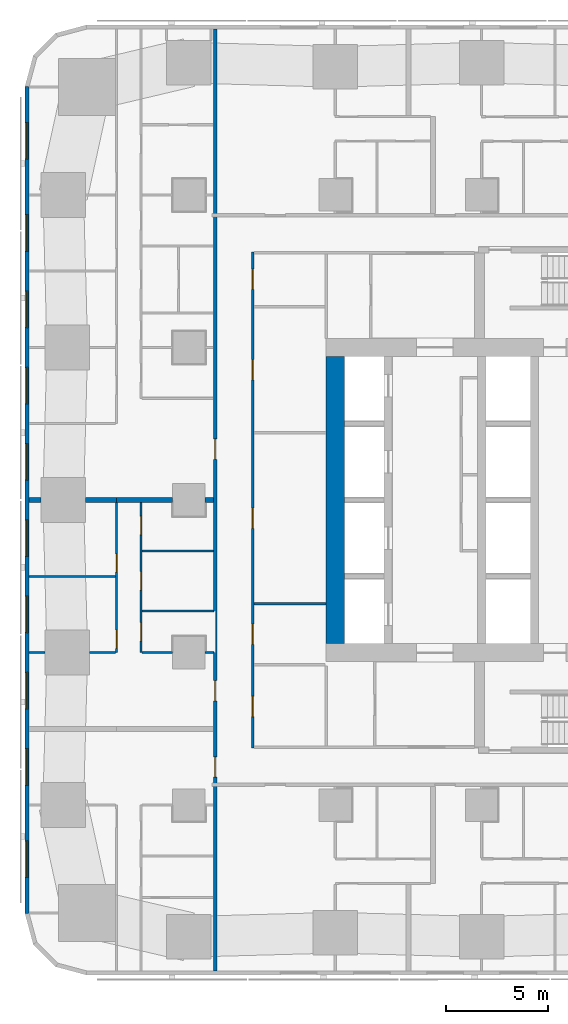
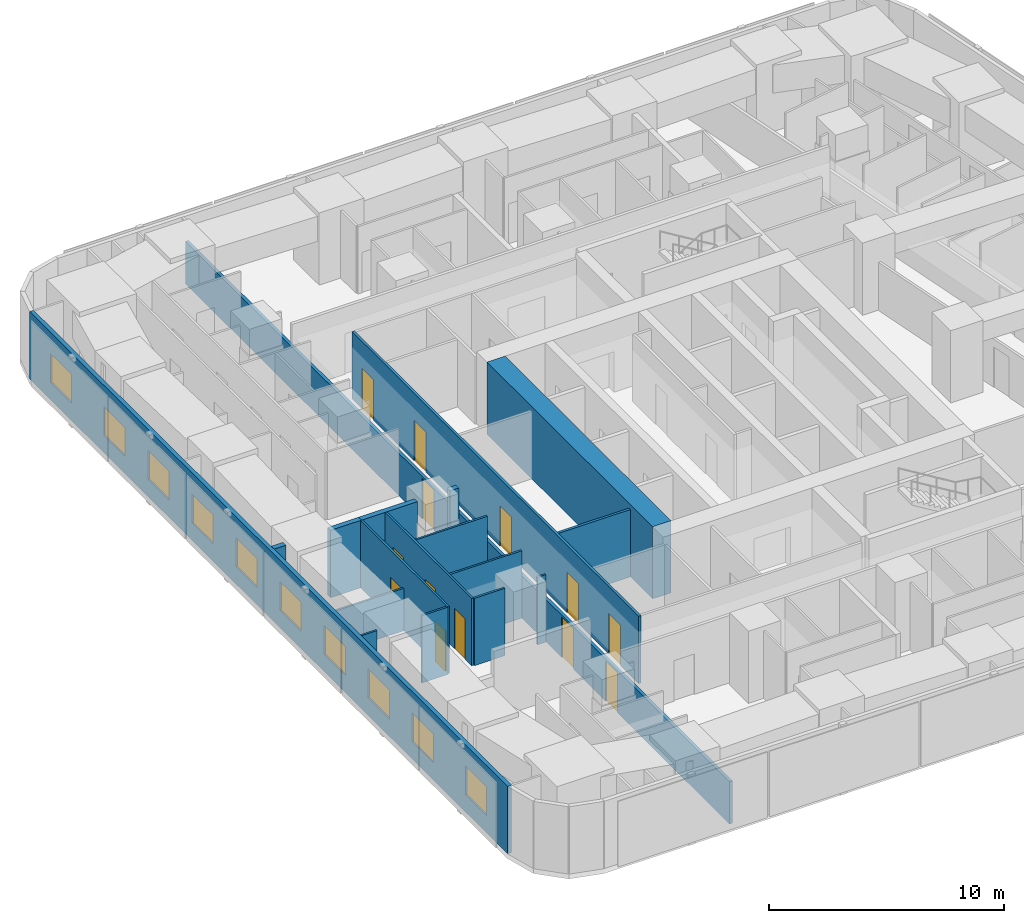
# One storey, part 5 of 17: 18 walls, 13 doors, 10 windows, 23 openings.
"""IFC4 building model written with IfcOpenShell, lengths in metres."""

from ifc_helpers import new_model, si_unit, direction, frame, frame_2d, origin, place, context, subcontext, project, spatial, rectangle, extrude, material, layer, layer_set, type_object, element, fill, save


model = new_model("IFC4")

# Units and contexts
model_context = context("Model", 3, precision=1e-05, world=origin(), true_north=direction((0.0, 1.0)))
body_context = subcontext(model_context, "Body", "Model", "MODEL_VIEW")
ifc_project = project(units=[si_unit("LENGTHUNIT", "METRE"), si_unit("AREAUNIT", "SQUARE_METRE"), si_unit("VOLUMEUNIT", "CUBIC_METRE"), si_unit("PLANEANGLEUNIT", "RADIAN"), si_unit("MASSUNIT", "GRAM", prefix="KILO")], contexts=[model_context])

# Site, building, storey
site_placement = place(None, origin())
site = spatial("IfcSite", under=ifc_project, at=site_placement, CompositionType="ELEMENT")
building_placement = place(site_placement, origin())
building = spatial("IfcBuilding", under=site, at=building_placement, Name="Sheger Commons Tower", CompositionType="ELEMENT")
storey_placement = place(building_placement, frame((0.0, 0.0, 115.39990234375)))
storey = spatial("IfcBuildingStorey", under=building, at=storey_placement, Name="L29", CompositionType="ELEMENT", Elevation=115.39990234375)

# Wall
ifc_material_1 = material(Name="Concrete C50/60", Category="concrete")
ifc_layer_1 = layer(ifc_material_1, 0.89990234375)
ifc_layer_set_1 = layer_set([ifc_layer_1], Name="CORE WALL 900")
wall_type_1 = type_object("IfcWallType", Name="CORE WALL 900", PredefinedType="SHEAR", material=ifc_layer_set_1)
wall_1_placement = place(storey_placement, frame((14.39990234375, 15.449951171875, 0.0), z_axis=(0.0, 0.0, 1.0), x_axis=(0.0, 1.0, 0.0)))
element("IfcWall", 1, at=wall_1_placement, inside=storey, type_object=wall_type_1, Name="Core wall west L29", PredefinedType="SHEAR", context=body_context, shape_type="SweptSolid", body=[
    extrude(rectangle(XDim=14.10009765625, YDim=0.89990234375, at=frame_2d((7.050048828125, 0.0))), origin(), (0.0, 0.0, 1.0), 3.75),
])

# Wall, openings, doors
ifc_material_2 = material(Name="Hollow concrete block masonry, skimmed both sides", Category="masonry")
ifc_layer_2 = layer(ifc_material_2, 0.14990234375)
ifc_layer_set_2 = layer_set([ifc_layer_2], Name="CORRIDOR WALL 150")
wall_type_2 = type_object("IfcWallType", Name="CORRIDOR WALL 150", PredefinedType="SOLIDWALL", material=ifc_layer_set_2)
wall_2_placement = place(storey_placement, frame((8.5, -0.64990234375, 0.0), z_axis=(0.0, 0.0, 1.0), x_axis=(0.0, 1.0, 0.0)))
wall_2 = element("IfcWall", 2, at=wall_2_placement, inside=storey, type_object=wall_type_2, Name="Corridor wall L29", PredefinedType="SOLIDWALL", context=body_context, shape_type="SweptSolid", body=[
    extrude(rectangle(XDim=46.2998046875, YDim=0.14990234375, at=frame_2d((23.14990234375, 0.0))), origin(), (0.0, 0.0, 1.0), 2.2001953125),
])
opening_1_placement = place(wall_2_placement, frame((9.52490234375, 0.0, 0.0)))
opening_1 = element("IfcOpeningElement", 3, at=opening_1_placement, cuts=wall_2, Name="Opening D1", PredefinedType="OPENING", context=body_context, shape_type="SweptSolid", body=[
    extrude(rectangle(XDim=1.0, YDim=2.10009765625, at=frame_2d((0.5, 1.050048828125))), frame((0.0, 0.0849609375, 0.0), z_axis=(0.0, -1.0, 0.0), x_axis=(1.0, 0.0, 0.0)), (0.0, 0.0, 1.0), 0.169921875),
])
opening_2_placement = place(wall_2_placement, frame((13.27490234375, 0.0, 0.0)))
opening_2 = element("IfcOpeningElement", 4, at=opening_2_placement, cuts=wall_2, Name="Opening D1", PredefinedType="OPENING", context=body_context, shape_type="SweptSolid", body=[
    extrude(rectangle(XDim=1.0, YDim=2.10009765625, at=frame_2d((0.5, 1.050048828125))), frame((0.0, 0.0849609375, 0.0), z_axis=(0.0, -1.0, 0.0), x_axis=(1.0, 0.0, 0.0)), (0.0, 0.0, 1.0), 0.169921875),
])
opening_3_placement = place(wall_2_placement, frame((25.14990234375, 0.0, 0.0)))
opening_3 = element("IfcOpeningElement", 5, at=opening_3_placement, cuts=wall_2, Name="Opening D1", PredefinedType="OPENING", context=body_context, shape_type="SweptSolid", body=[
    extrude(rectangle(XDim=1.0, YDim=2.10009765625, at=frame_2d((0.5, 1.050048828125))), frame((0.0, 0.0849609375, 0.0), z_axis=(0.0, -1.0, 0.0), x_axis=(1.0, 0.0, 0.0)), (0.0, 0.0, 1.0), 0.169921875),
])
ifc_material_3 = material(Name="Steel door set, fire rated", Category="steel")
door_type_1 = type_object("IfcDoorType", Name="FLAT ENTRANCE DOOR 1000x2100", OperationType="NOTDEFINED", PredefinedType="DOOR", material=ifc_material_3)
door_1_placement = place(opening_1_placement, origin())
door_1 = element("IfcDoor", 6, at=door_1_placement, inside=storey, type_object=door_type_1, Name="Flat entrance door", OperationType="SINGLE_SWING_RIGHT", OverallHeight=2.10009765625, OverallWidth=1.0, PredefinedType="DOOR", context=body_context, shape_type="SweptSolid", body=[
    extrude(rectangle(XDim=1.0, YDim=2.10009765625, at=frame_2d((0.5, 1.050048828125))), frame((0.0, 0.02490234375, 0.0), z_axis=(0.0, -1.0, 0.0), x_axis=(1.0, 0.0, 0.0)), (0.0, 0.0, 1.0), 0.050048828125),
])
fill(opening_1, door_1)
door_2_placement = place(opening_2_placement, origin())
door_2 = element("IfcDoor", 7, at=door_2_placement, inside=storey, type_object=door_type_1, Name="Flat entrance door", OperationType="SINGLE_SWING_LEFT", OverallHeight=2.10009765625, OverallWidth=1.0, PredefinedType="DOOR", context=body_context, shape_type="SweptSolid", body=[
    extrude(rectangle(XDim=1.0, YDim=2.10009765625, at=frame_2d((0.5, 1.050048828125))), frame((0.0, 0.02490234375, 0.0), z_axis=(0.0, -1.0, 0.0), x_axis=(1.0, 0.0, 0.0)), (0.0, 0.0, 1.0), 0.050048828125),
])
fill(opening_2, door_2)
door_3_placement = place(opening_3_placement, origin())
door_3 = element("IfcDoor", 8, at=door_3_placement, inside=storey, type_object=door_type_1, Name="Flat entrance door", OperationType="SINGLE_SWING_LEFT", OverallHeight=2.10009765625, OverallWidth=1.0, PredefinedType="DOOR", context=body_context, shape_type="SweptSolid", body=[
    extrude(rectangle(XDim=1.0, YDim=2.10009765625, at=frame_2d((0.5, 1.050048828125))), frame((0.0, 0.02490234375, 0.0), z_axis=(0.0, -1.0, 0.0), x_axis=(1.0, 0.0, 0.0)), (0.0, 0.0, 1.0), 0.050048828125),
])
fill(opening_3, door_3)

# Walls
ifc_material_4 = material(Name="Dense concrete block masonry, plastered both sides (separating wall between flats)", Category="masonry")
ifc_layer_3 = layer(ifc_material_4, 0.25)
ifc_layer_set_3 = layer_set([ifc_layer_3], Name="DEMISING WALL 250")
wall_type_3 = type_object("IfcWallType", Name="DEMISING WALL 250", PredefinedType="SOLIDWALL", material=ifc_layer_set_3)
wall_3_placement = place(storey_placement, frame((-0.64990234375, 22.5, 0.0), z_axis=(0.0, 0.0, 1.0), x_axis=(1.0, 0.0, 0.0)))
element("IfcWall", 9, at=wall_3_placement, inside=storey, type_object=wall_type_3, Name="Demising wall L29", PredefinedType="SOLIDWALL", context=body_context, shape_type="SweptSolid", body=[
    extrude(rectangle(XDim=0.573974609375, YDim=0.25, at=frame_2d((0.287109375, 0.0))), origin(), (0.0, 0.0, 1.0), 3.5),
])
wall_4_placement = place(storey_placement, frame((2.1259765625, 22.5, 0.0), z_axis=(0.0, 0.0, 1.0), x_axis=(1.0, 0.0, 0.0)))
element("IfcWall", 10, at=wall_4_placement, inside=storey, type_object=wall_type_3, Name="Demising wall L29", PredefinedType="SOLIDWALL", context=body_context, shape_type="SweptSolid", body=[
    extrude(rectangle(XDim=1.52392578125, YDim=0.25, at=frame_2d((0.761962890625, 0.0))), origin(), (0.0, 0.0, 1.0), 3.5),
])
wall_5_placement = place(storey_placement, frame((3.64990234375, 22.5, 0.0), z_axis=(0.0, 0.0, 1.0), x_axis=(1.0, 0.0, 0.0)))
element("IfcWall", 11, at=wall_5_placement, inside=storey, type_object=wall_type_3, Name="Demising wall L29", PredefinedType="SOLIDWALL", context=body_context, shape_type="SweptSolid", body=[
    extrude(rectangle(XDim=2.7490234375, YDim=0.25, at=frame_2d((1.37451171875, 0.0))), origin(), (0.0, 0.0, 1.0), 3.5),
])
wall_6_placement = place(storey_placement, frame((8.0009765625, 22.5, 0.0), z_axis=(0.0, 0.0, 1.0), x_axis=(1.0, 0.0, 0.0)))
element("IfcWall", 12, at=wall_6_placement, inside=storey, type_object=wall_type_3, Name="Demising wall L29", PredefinedType="SOLIDWALL", context=body_context, shape_type="SweptSolid", body=[
    extrude(rectangle(XDim=0.424072265625, YDim=0.25, at=frame_2d((0.2119140625, 0.0))), origin(), (0.0, 0.0, 1.0), 3.5),
])

# Wall, openings, windows
ifc_material_5 = material(Name="Rendered concrete block masonry, dark grey", Category="masonry")
ifc_layer_4 = layer(ifc_material_5, 0.199951171875)
ifc_layer_set_4 = layer_set([ifc_layer_4], Name="FACADE WALL 200")
wall_type_4 = type_object("IfcWallType", Name="FACADE WALL 200", PredefinedType="SOLIDWALL", material=ifc_layer_set_4)
wall_7_placement = place(storey_placement, frame((-0.75, 42.8369140625, 0.0), z_axis=(0.0, 0.0, 1.0), x_axis=(0.0, -1.0, 0.0)))
wall_7 = element("IfcWall", 13, at=wall_7_placement, inside=storey, type_object=wall_type_4, Name="Facade wall L29", PredefinedType="SOLIDWALL", context=body_context, shape_type="SweptSolid", body=[
    extrude(rectangle(XDim=40.673828125, YDim=0.199951171875, at=frame_2d((20.3369140625, 0.0))), origin(), (0.0, 0.0, 1.0), 3.5),
])
opening_4_placement = place(wall_7_placement, frame((1.780029296875, 0.0, 0.89990234375)))
opening_4 = element("IfcOpeningElement", 14, at=opening_4_placement, cuts=wall_7, Name="Opening W2", PredefinedType="OPENING", context=body_context, shape_type="SweptSolid", body=[
    extrude(rectangle(XDim=1.800048828125, YDim=1.5, at=frame_2d((0.89990234375, 0.75))), frame((0.0, 0.10986328125, 0.0), z_axis=(0.0, -1.0, 0.0), x_axis=(1.0, 0.0, 0.0)), (0.0, 0.0, 1.0), 0.219970703125),
])
opening_5_placement = place(wall_7_placement, frame((6.31201171875, 0.0, 0.89990234375)))
opening_5 = element("IfcOpeningElement", 15, at=opening_5_placement, cuts=wall_7, Name="Opening W2", PredefinedType="OPENING", context=body_context, shape_type="SweptSolid", body=[
    extrude(rectangle(XDim=1.800048828125, YDim=1.5, at=frame_2d((0.89990234375, 0.75))), frame((0.0, 0.10986328125, 0.0), z_axis=(0.0, -1.0, 0.0), x_axis=(1.0, 0.0, 0.0)), (0.0, 0.0, 1.0), 0.219970703125),
])
opening_6_placement = place(wall_7_placement, frame((10.06201171875, 0.0, 0.89990234375)))
opening_6 = element("IfcOpeningElement", 16, at=opening_6_placement, cuts=wall_7, Name="Opening W2", PredefinedType="OPENING", context=body_context, shape_type="SweptSolid", body=[
    extrude(rectangle(XDim=1.800048828125, YDim=1.5, at=frame_2d((0.89990234375, 0.75))), frame((0.0, 0.10986328125, 0.0), z_axis=(0.0, -1.0, 0.0), x_axis=(1.0, 0.0, 0.0)), (0.0, 0.0, 1.0), 0.219970703125),
])
opening_7_placement = place(wall_7_placement, frame((13.81201171875, 0.0, 0.89990234375)))
opening_7 = element("IfcOpeningElement", 17, at=opening_7_placement, cuts=wall_7, Name="Opening W2", PredefinedType="OPENING", context=body_context, shape_type="SweptSolid", body=[
    extrude(rectangle(XDim=1.800048828125, YDim=1.5, at=frame_2d((0.89990234375, 0.75))), frame((0.0, 0.10986328125, 0.0), z_axis=(0.0, -1.0, 0.0), x_axis=(1.0, 0.0, 0.0)), (0.0, 0.0, 1.0), 0.219970703125),
])
opening_8_placement = place(wall_7_placement, frame((17.56201171875, 0.0, 0.89990234375)))
opening_8 = element("IfcOpeningElement", 18, at=opening_8_placement, cuts=wall_7, Name="Opening W2", PredefinedType="OPENING", context=body_context, shape_type="SweptSolid", body=[
    extrude(rectangle(XDim=1.800048828125, YDim=1.5, at=frame_2d((0.89990234375, 0.75))), frame((0.0, 0.10986328125, 0.0), z_axis=(0.0, -1.0, 0.0), x_axis=(1.0, 0.0, 0.0)), (0.0, 0.0, 1.0), 0.219970703125),
])
opening_9_placement = place(wall_7_placement, frame((21.31201171875, 0.0, 0.89990234375)))
opening_9 = element("IfcOpeningElement", 19, at=opening_9_placement, cuts=wall_7, Name="Opening W2", PredefinedType="OPENING", context=body_context, shape_type="SweptSolid", body=[
    extrude(rectangle(XDim=1.800048828125, YDim=1.5, at=frame_2d((0.89990234375, 0.75))), frame((0.0, 0.10986328125, 0.0), z_axis=(0.0, -1.0, 0.0), x_axis=(1.0, 0.0, 0.0)), (0.0, 0.0, 1.0), 0.219970703125),
])
opening_10_placement = place(wall_7_placement, frame((25.06201171875, 0.0, 0.89990234375)))
opening_10 = element("IfcOpeningElement", 20, at=opening_10_placement, cuts=wall_7, Name="Opening W2", PredefinedType="OPENING", context=body_context, shape_type="SweptSolid", body=[
    extrude(rectangle(XDim=1.800048828125, YDim=1.5, at=frame_2d((0.89990234375, 0.75))), frame((0.0, 0.10986328125, 0.0), z_axis=(0.0, -1.0, 0.0), x_axis=(1.0, 0.0, 0.0)), (0.0, 0.0, 1.0), 0.219970703125),
])
opening_11_placement = place(wall_7_placement, frame((28.81201171875, 0.0, 0.89990234375)))
opening_11 = element("IfcOpeningElement", 21, at=opening_11_placement, cuts=wall_7, Name="Opening W2", PredefinedType="OPENING", context=body_context, shape_type="SweptSolid", body=[
    extrude(rectangle(XDim=1.800048828125, YDim=1.5, at=frame_2d((0.89990234375, 0.75))), frame((0.0, 0.10986328125, 0.0), z_axis=(0.0, -1.0, 0.0), x_axis=(1.0, 0.0, 0.0)), (0.0, 0.0, 1.0), 0.219970703125),
])
opening_12_placement = place(wall_7_placement, frame((32.56201171875, 0.0, 0.89990234375)))
opening_12 = element("IfcOpeningElement", 22, at=opening_12_placement, cuts=wall_7, Name="Opening W2", PredefinedType="OPENING", context=body_context, shape_type="SweptSolid", body=[
    extrude(rectangle(XDim=1.800048828125, YDim=1.5, at=frame_2d((0.89990234375, 0.75))), frame((0.0, 0.10986328125, 0.0), z_axis=(0.0, -1.0, 0.0), x_axis=(1.0, 0.0, 0.0)), (0.0, 0.0, 1.0), 0.219970703125),
])
opening_13_placement = place(wall_7_placement, frame((37.093994140625, 0.0, 0.89990234375)))
opening_13 = element("IfcOpeningElement", 23, at=opening_13_placement, cuts=wall_7, Name="Opening W2", PredefinedType="OPENING", context=body_context, shape_type="SweptSolid", body=[
    extrude(rectangle(XDim=1.800048828125, YDim=1.5, at=frame_2d((0.89990234375, 0.75))), frame((0.0, 0.10986328125, 0.0), z_axis=(0.0, -1.0, 0.0), x_axis=(1.0, 0.0, 0.0)), (0.0, 0.0, 1.0), 0.219970703125),
])
ifc_material_6 = material(Name="Black aluminium frame, dark tinted double glazing", Category="aluminium")
window_type = type_object("IfcWindowType", Name="WINDOW W2 1800x1500", PartitioningType="SINGLE_PANEL", PredefinedType="WINDOW", material=ifc_material_6)
window_1_placement = place(opening_4_placement, origin())
window_1 = element("IfcWindow", 24, at=window_1_placement, inside=storey, type_object=window_type, Name="Window W2 1800X1500", OverallHeight=1.5, OverallWidth=1.800048828125, PartitioningType="SINGLE_PANEL", PredefinedType="WINDOW", context=body_context, shape_type="SweptSolid", body=[
    extrude(rectangle(XDim=1.800048828125, YDim=1.5, at=frame_2d((0.89990234375, 0.75))), frame((0.0, 0.030029296875, 0.0), z_axis=(0.0, -1.0, 0.0), x_axis=(1.0, 0.0, 0.0)), (0.0, 0.0, 1.0), 0.06005859375),
])
fill(opening_4, window_1)
window_2_placement = place(opening_5_placement, origin())
window_2 = element("IfcWindow", 25, at=window_2_placement, inside=storey, type_object=window_type, Name="Window W2 1800X1500", OverallHeight=1.5, OverallWidth=1.800048828125, PartitioningType="SINGLE_PANEL", PredefinedType="WINDOW", context=body_context, shape_type="SweptSolid", body=[
    extrude(rectangle(XDim=1.800048828125, YDim=1.5, at=frame_2d((0.89990234375, 0.75))), frame((0.0, 0.030029296875, 0.0), z_axis=(0.0, -1.0, 0.0), x_axis=(1.0, 0.0, 0.0)), (0.0, 0.0, 1.0), 0.06005859375),
])
fill(opening_5, window_2)
window_3_placement = place(opening_6_placement, origin())
window_3 = element("IfcWindow", 26, at=window_3_placement, inside=storey, type_object=window_type, Name="Window W2 1800X1500", OverallHeight=1.5, OverallWidth=1.800048828125, PartitioningType="SINGLE_PANEL", PredefinedType="WINDOW", context=body_context, shape_type="SweptSolid", body=[
    extrude(rectangle(XDim=1.800048828125, YDim=1.5, at=frame_2d((0.89990234375, 0.75))), frame((0.0, 0.030029296875, 0.0), z_axis=(0.0, -1.0, 0.0), x_axis=(1.0, 0.0, 0.0)), (0.0, 0.0, 1.0), 0.06005859375),
])
fill(opening_6, window_3)
window_4_placement = place(opening_7_placement, origin())
window_4 = element("IfcWindow", 27, at=window_4_placement, inside=storey, type_object=window_type, Name="Window W2 1800X1500", OverallHeight=1.5, OverallWidth=1.800048828125, PartitioningType="SINGLE_PANEL", PredefinedType="WINDOW", context=body_context, shape_type="SweptSolid", body=[
    extrude(rectangle(XDim=1.800048828125, YDim=1.5, at=frame_2d((0.89990234375, 0.75))), frame((0.0, 0.030029296875, 0.0), z_axis=(0.0, -1.0, 0.0), x_axis=(1.0, 0.0, 0.0)), (0.0, 0.0, 1.0), 0.06005859375),
])
fill(opening_7, window_4)
window_5_placement = place(opening_8_placement, origin())
window_5 = element("IfcWindow", 28, at=window_5_placement, inside=storey, type_object=window_type, Name="Window W2 1800X1500", OverallHeight=1.5, OverallWidth=1.800048828125, PartitioningType="SINGLE_PANEL", PredefinedType="WINDOW", context=body_context, shape_type="SweptSolid", body=[
    extrude(rectangle(XDim=1.800048828125, YDim=1.5, at=frame_2d((0.89990234375, 0.75))), frame((0.0, 0.030029296875, 0.0), z_axis=(0.0, -1.0, 0.0), x_axis=(1.0, 0.0, 0.0)), (0.0, 0.0, 1.0), 0.06005859375),
])
fill(opening_8, window_5)
window_6_placement = place(opening_9_placement, origin())
window_6 = element("IfcWindow", 29, at=window_6_placement, inside=storey, type_object=window_type, Name="Window W2 1800X1500", OverallHeight=1.5, OverallWidth=1.800048828125, PartitioningType="SINGLE_PANEL", PredefinedType="WINDOW", context=body_context, shape_type="SweptSolid", body=[
    extrude(rectangle(XDim=1.800048828125, YDim=1.5, at=frame_2d((0.89990234375, 0.75))), frame((0.0, 0.030029296875, 0.0), z_axis=(0.0, -1.0, 0.0), x_axis=(1.0, 0.0, 0.0)), (0.0, 0.0, 1.0), 0.06005859375),
])
fill(opening_9, window_6)
window_7_placement = place(opening_10_placement, origin())
window_7 = element("IfcWindow", 30, at=window_7_placement, inside=storey, type_object=window_type, Name="Window W2 1800X1500", OverallHeight=1.5, OverallWidth=1.800048828125, PartitioningType="SINGLE_PANEL", PredefinedType="WINDOW", context=body_context, shape_type="SweptSolid", body=[
    extrude(rectangle(XDim=1.800048828125, YDim=1.5, at=frame_2d((0.89990234375, 0.75))), frame((0.0, 0.030029296875, 0.0), z_axis=(0.0, -1.0, 0.0), x_axis=(1.0, 0.0, 0.0)), (0.0, 0.0, 1.0), 0.06005859375),
])
fill(opening_10, window_7)
window_8_placement = place(opening_11_placement, origin())
window_8 = element("IfcWindow", 31, at=window_8_placement, inside=storey, type_object=window_type, Name="Window W2 1800X1500", OverallHeight=1.5, OverallWidth=1.800048828125, PartitioningType="SINGLE_PANEL", PredefinedType="WINDOW", context=body_context, shape_type="SweptSolid", body=[
    extrude(rectangle(XDim=1.800048828125, YDim=1.5, at=frame_2d((0.89990234375, 0.75))), frame((0.0, 0.030029296875, 0.0), z_axis=(0.0, -1.0, 0.0), x_axis=(1.0, 0.0, 0.0)), (0.0, 0.0, 1.0), 0.06005859375),
])
fill(opening_11, window_8)
window_9_placement = place(opening_12_placement, origin())
window_9 = element("IfcWindow", 32, at=window_9_placement, inside=storey, type_object=window_type, Name="Window W2 1800X1500", OverallHeight=1.5, OverallWidth=1.800048828125, PartitioningType="SINGLE_PANEL", PredefinedType="WINDOW", context=body_context, shape_type="SweptSolid", body=[
    extrude(rectangle(XDim=1.800048828125, YDim=1.5, at=frame_2d((0.89990234375, 0.75))), frame((0.0, 0.030029296875, 0.0), z_axis=(0.0, -1.0, 0.0), x_axis=(1.0, 0.0, 0.0)), (0.0, 0.0, 1.0), 0.06005859375),
])
fill(opening_12, window_9)
window_10_placement = place(opening_13_placement, origin())
window_10 = element("IfcWindow", 33, at=window_10_placement, inside=storey, type_object=window_type, Name="Window W2 1800X1500", OverallHeight=1.5, OverallWidth=1.800048828125, PartitioningType="SINGLE_PANEL", PredefinedType="WINDOW", context=body_context, shape_type="SweptSolid", body=[
    extrude(rectangle(XDim=1.800048828125, YDim=1.5, at=frame_2d((0.89990234375, 0.75))), frame((0.0, 0.030029296875, 0.0), z_axis=(0.0, -1.0, 0.0), x_axis=(1.0, 0.0, 0.0)), (0.0, 0.0, 1.0), 0.06005859375),
])
fill(opening_13, window_10)

# Wall, openings, doors
ifc_material_7 = material(Name="Gypsum board on steel studs", Category="steel")
ifc_layer_5 = layer(ifc_material_7, 0.10009765625)
ifc_layer_set_5 = layer_set([ifc_layer_5], Name="PARTITION 100")
wall_type_5 = type_object("IfcWallType", Name="PARTITION 100", PredefinedType="PARTITIONING", material=ifc_layer_set_5)
wall_8_placement = place(storey_placement, frame((3.64990234375, 15.0, 0.0), z_axis=(0.0, 0.0, 1.0), x_axis=(0.0, 1.0, 0.0)))
wall_8 = element("IfcWall", 34, at=wall_8_placement, inside=storey, type_object=wall_type_5, Name="Partition L29", PredefinedType="PARTITIONING", context=body_context, shape_type="SweptSolid", body=[
    extrude(rectangle(XDim=7.375, YDim=0.10009765625, at=frame_2d((3.6875, 0.0))), origin(), (0.0, 0.0, 1.0), 3.5),
])
opening_14_placement = place(wall_8_placement, frame((0.199951171875, 0.0, 0.0)))
opening_14 = element("IfcOpeningElement", 35, at=opening_14_placement, cuts=wall_8, Name="Opening D2", PredefinedType="OPENING", context=body_context, shape_type="SweptSolid", body=[
    extrude(rectangle(XDim=0.89990234375, YDim=2.10009765625, at=frame_2d((0.449951171875, 1.050048828125))), frame((0.0, 0.06005859375, 0.0), z_axis=(0.0, -1.0, 0.0), x_axis=(1.0, 0.0, 0.0)), (0.0, 0.0, 1.0), 0.1201171875),
])
opening_15_placement = place(wall_8_placement, frame((3.949951171875, 0.0, 0.0)))
opening_15 = element("IfcOpeningElement", 36, at=opening_15_placement, cuts=wall_8, Name="Opening D2", PredefinedType="OPENING", context=body_context, shape_type="SweptSolid", body=[
    extrude(rectangle(XDim=0.89990234375, YDim=2.10009765625, at=frame_2d((0.449951171875, 1.050048828125))), frame((0.0, 0.06005859375, 0.0), z_axis=(0.0, -1.0, 0.0), x_axis=(1.0, 0.0, 0.0)), (0.0, 0.0, 1.0), 0.1201171875),
])
ifc_material_8 = material(Name="Timber door set", Category="wood")
door_type_2 = type_object("IfcDoorType", Name="INTERNAL DOOR 900x2100", OperationType="NOTDEFINED", PredefinedType="DOOR", material=ifc_material_8)
door_4_placement = place(opening_14_placement, origin())
door_4 = element("IfcDoor", 37, at=door_4_placement, inside=storey, type_object=door_type_2, Name="Main bedroom door", OperationType="SINGLE_SWING_LEFT", OverallHeight=2.10009765625, OverallWidth=0.89990234375, PredefinedType="DOOR", context=body_context, shape_type="SweptSolid", body=[
    extrude(rectangle(XDim=0.89990234375, YDim=2.10009765625, at=frame_2d((0.449951171875, 1.050048828125))), frame((0.0, 0.02490234375, 0.0), z_axis=(0.0, -1.0, 0.0), x_axis=(1.0, 0.0, 0.0)), (0.0, 0.0, 1.0), 0.050048828125),
])
fill(opening_14, door_4)
door_5_placement = place(opening_15_placement, origin())
door_5 = element("IfcDoor", 38, at=door_5_placement, inside=storey, type_object=door_type_2, Name="Bedroom 2 door", OperationType="SINGLE_SWING_LEFT", OverallHeight=2.10009765625, OverallWidth=0.89990234375, PredefinedType="DOOR", context=body_context, shape_type="SweptSolid", body=[
    extrude(rectangle(XDim=0.89990234375, YDim=2.10009765625, at=frame_2d((0.449951171875, 1.050048828125))), frame((0.0, 0.02490234375, 0.0), z_axis=(0.0, -1.0, 0.0), x_axis=(1.0, 0.0, 0.0)), (0.0, 0.0, 1.0), 0.050048828125),
])
fill(opening_15, door_5)

wall_9_placement = place(storey_placement, frame((4.85009765625, 15.0, 0.0), z_axis=(0.0, 0.0, 1.0), x_axis=(0.0, 1.0, 0.0)))
wall_9 = element("IfcWall", 39, at=wall_9_placement, inside=storey, type_object=wall_type_5, Name="Partition L29", PredefinedType="PARTITIONING", context=body_context, shape_type="SweptSolid", body=[
    extrude(rectangle(XDim=7.375, YDim=0.10009765625, at=frame_2d((3.6875, 0.0))), origin(), (0.0, 0.0, 1.0), 3.5),
])
opening_16_placement = place(wall_9_placement, frame((0.574951171875, 0.0, 0.0)))
opening_16 = element("IfcOpeningElement", 40, at=opening_16_placement, cuts=wall_9, Name="Opening D2", PredefinedType="OPENING", context=body_context, shape_type="SweptSolid", body=[
    extrude(rectangle(XDim=0.89990234375, YDim=2.10009765625, at=frame_2d((0.449951171875, 1.050048828125))), frame((0.0, 0.06005859375, 0.0), z_axis=(0.0, -1.0, 0.0), x_axis=(1.0, 0.0, 0.0)), (0.0, 0.0, 1.0), 0.1201171875),
])
opening_17_placement = place(wall_9_placement, frame((5.799072265625, 0.0, 0.0)))
opening_17 = element("IfcOpeningElement", 41, at=opening_17_placement, cuts=wall_9, Name="Opening D2", PredefinedType="OPENING", context=body_context, shape_type="SweptSolid", body=[
    extrude(rectangle(XDim=0.89990234375, YDim=2.10009765625, at=frame_2d((0.449951171875, 1.050048828125))), frame((0.0, 0.06005859375, 0.0), z_axis=(0.0, -1.0, 0.0), x_axis=(1.0, 0.0, 0.0)), (0.0, 0.0, 1.0), 0.1201171875),
])
opening_18_placement = place(wall_9_placement, frame((3.073974609375, 0.0, 0.0)))
opening_18 = element("IfcOpeningElement", 42, at=opening_18_placement, cuts=wall_9, Name="Opening D2", PredefinedType="OPENING", context=body_context, shape_type="SweptSolid", body=[
    extrude(rectangle(XDim=0.89990234375, YDim=2.10009765625, at=frame_2d((0.449951171875, 1.050048828125))), frame((0.0, 0.06005859375, 0.0), z_axis=(0.0, -1.0, 0.0), x_axis=(1.0, 0.0, 0.0)), (0.0, 0.0, 1.0), 0.1201171875),
])
door_6_placement = place(opening_16_placement, origin())
door_6 = element("IfcDoor", 43, at=door_6_placement, inside=storey, type_object=door_type_2, Name="Bathroom door", OperationType="SINGLE_SWING_RIGHT", OverallHeight=2.10009765625, OverallWidth=0.89990234375, PredefinedType="DOOR", context=body_context, shape_type="SweptSolid", body=[
    extrude(rectangle(XDim=0.89990234375, YDim=2.10009765625, at=frame_2d((0.449951171875, 1.050048828125))), frame((0.0, 0.02490234375, 0.0), z_axis=(0.0, -1.0, 0.0), x_axis=(1.0, 0.0, 0.0)), (0.0, 0.0, 1.0), 0.050048828125),
])
fill(opening_16, door_6)
door_7_placement = place(opening_17_placement, origin())
door_7 = element("IfcDoor", 44, at=door_7_placement, inside=storey, type_object=door_type_2, Name="Store and laundry door", OperationType="SINGLE_SWING_LEFT", OverallHeight=2.10009765625, OverallWidth=0.89990234375, PredefinedType="DOOR", context=body_context, shape_type="SweptSolid", body=[
    extrude(rectangle(XDim=0.89990234375, YDim=2.10009765625, at=frame_2d((0.449951171875, 1.050048828125))), frame((0.0, 0.02490234375, 0.0), z_axis=(0.0, -1.0, 0.0), x_axis=(1.0, 0.0, 0.0)), (0.0, 0.0, 1.0), 0.050048828125),
])
fill(opening_17, door_7)
door_8_placement = place(opening_18_placement, origin())
door_8 = element("IfcDoor", 45, at=door_8_placement, inside=storey, type_object=door_type_2, Name="Store door", OperationType="SINGLE_SWING_LEFT", OverallHeight=2.10009765625, OverallWidth=0.89990234375, PredefinedType="DOOR", context=body_context, shape_type="SweptSolid", body=[
    extrude(rectangle(XDim=0.89990234375, YDim=2.10009765625, at=frame_2d((0.449951171875, 1.050048828125))), frame((0.0, 0.02490234375, 0.0), z_axis=(0.0, -1.0, 0.0), x_axis=(1.0, 0.0, 0.0)), (0.0, 0.0, 1.0), 0.050048828125),
])
fill(opening_18, door_8)

# Walls
wall_10_placement = place(storey_placement, frame((-0.64990234375, 15.0, 0.0), z_axis=(0.0, 0.0, 1.0), x_axis=(1.0, 0.0, 0.0)))
element("IfcWall", 46, at=wall_10_placement, inside=storey, type_object=wall_type_5, Name="Partition L29", PredefinedType="PARTITIONING", context=body_context, shape_type="SweptSolid", body=[
    extrude(rectangle(XDim=0.77392578125, YDim=0.10009765625, at=frame_2d((0.386962890625, 0.0))), origin(), (0.0, 0.0, 1.0), 3.5),
])
wall_11_placement = place(storey_placement, frame((2.325927734375, 15.0, 0.0), z_axis=(0.0, 0.0, 1.0), x_axis=(1.0, 0.0, 0.0)))
element("IfcWall", 47, at=wall_11_placement, inside=storey, type_object=wall_type_5, Name="Partition L29", PredefinedType="PARTITIONING", context=body_context, shape_type="SweptSolid", body=[
    extrude(rectangle(XDim=1.274169921875, YDim=0.10009765625, at=frame_2d((0.63720703125, 0.0))), origin(), (0.0, 0.0, 1.0), 3.5),
])
wall_12_placement = place(storey_placement, frame((-0.64990234375, 18.75, 0.0), z_axis=(0.0, 0.0, 1.0), x_axis=(1.0, 0.0, 0.0)))
element("IfcWall", 48, at=wall_12_placement, inside=storey, type_object=wall_type_5, Name="Partition L29", PredefinedType="PARTITIONING", context=body_context, shape_type="SweptSolid", body=[
    extrude(rectangle(XDim=4.25, YDim=0.10009765625, at=frame_2d((2.125, 0.0))), origin(), (0.0, 0.0, 1.0), 2.2001953125),
])
wall_13_placement = place(storey_placement, frame((4.89990234375, 15.0, 0.0), z_axis=(0.0, 0.0, 1.0), x_axis=(1.0, 0.0, 0.0)))
element("IfcWall", 49, at=wall_13_placement, inside=storey, type_object=wall_type_5, Name="Partition L29", PredefinedType="PARTITIONING", context=body_context, shape_type="SweptSolid", body=[
    extrude(rectangle(XDim=1.4990234375, YDim=0.10009765625, at=frame_2d((0.74951171875, 0.0))), origin(), (0.0, 0.0, 1.0), 3.5),
])
wall_14_placement = place(storey_placement, frame((8.0009765625, 15.0, 0.0), z_axis=(0.0, 0.0, 1.0), x_axis=(1.0, 0.0, 0.0)))
element("IfcWall", 50, at=wall_14_placement, inside=storey, type_object=wall_type_5, Name="Partition L29", PredefinedType="PARTITIONING", context=body_context, shape_type="SweptSolid", body=[
    extrude(rectangle(XDim=0.424072265625, YDim=0.10009765625, at=frame_2d((0.2119140625, 0.0))), origin(), (0.0, 0.0, 1.0), 3.5),
])
for number, where, z_axis, x_axis, name in (
    (51, (4.89990234375, 19.9990234375, 0.0), (0.0, 0.0, 1.0), (1.0, 0.0, 0.0), "Partition L29"),
    (52, (4.89990234375, 17.050048828125, 0.0), (0.0, 0.0, 1.0), (1.0, 0.0, 0.0), "Partition L29"),
):
    element("IfcWall", number, at=place(storey_placement, frame(where, z_axis=z_axis, x_axis=x_axis)), inside=storey, type_object=wall_type_5, Name=name, PredefinedType="PARTITIONING", context=body_context, shape_type="SweptSolid", body=[
        extrude(rectangle(XDim=3.525146484375, YDim=0.10009765625, at=frame_2d((1.7626953125, 0.0))), origin(), (0.0, 0.0, 1.0), 3.5),
    ])

# Wall, openings, doors
ifc_material_9 = material(Name="Gypsum board on steel studs, two layers each side, fire rated", Category="steel")
ifc_layer_6 = layer(ifc_material_9, 0.125)
ifc_layer_set_6 = layer_set([ifc_layer_6], Name="SERVICE WALL 125")
wall_type_6 = type_object("IfcWallType", Name="SERVICE WALL 125", PredefinedType="PARTITIONING", material=ifc_layer_set_6)
wall_15_placement = place(storey_placement, frame((10.35009765625, 10.300048828125, 0.0), z_axis=(0.0, 0.0, 1.0), x_axis=(0.0, 1.0, 0.0)))
wall_15 = element("IfcWall", 53, at=wall_15_placement, inside=storey, type_object=wall_type_6, Name="Service room wall L29", PredefinedType="PARTITIONING", context=body_context, shape_type="SweptSolid", body=[
    extrude(rectangle(XDim=24.39990234375, YDim=0.125, at=frame_2d((12.199951171875, 0.0))), origin(), (0.0, 0.0, 1.0), 3.5),
])
opening_19_placement = place(wall_15_placement, frame((1.550048828125, 0.0, 0.0)))
opening_19 = element("IfcOpeningElement", 54, at=opening_19_placement, cuts=wall_15, Name="Opening D4", PredefinedType="OPENING", context=body_context, shape_type="SweptSolid", body=[
    extrude(rectangle(XDim=1.0, YDim=2.10009765625, at=frame_2d((0.5, 1.050048828125))), frame((0.0, 0.072509765625, 0.0), z_axis=(0.0, -1.0, 0.0), x_axis=(1.0, 0.0, 0.0)), (0.0, 0.0, 1.0), 0.14501953125),
])
opening_20_placement = place(wall_15_placement, frame((5.10009765625, 0.0, 0.0)))
opening_20 = element("IfcOpeningElement", 55, at=opening_20_placement, cuts=wall_15, Name="Opening D4", PredefinedType="OPENING", context=body_context, shape_type="SweptSolid", body=[
    extrude(rectangle(XDim=1.0, YDim=2.10009765625, at=frame_2d((0.5, 1.050048828125))), frame((0.0, 0.072509765625, 0.0), z_axis=(0.0, -1.0, 0.0), x_axis=(1.0, 0.0, 0.0)), (0.0, 0.0, 1.0), 0.14501953125),
])
opening_21_placement = place(wall_15_placement, frame((10.800048828125, 0.0, 0.0)))
opening_21 = element("IfcOpeningElement", 56, at=opening_21_placement, cuts=wall_15, Name="Opening D4", PredefinedType="OPENING", context=body_context, shape_type="SweptSolid", body=[
    extrude(rectangle(XDim=1.0, YDim=2.10009765625, at=frame_2d((0.5, 1.050048828125))), frame((0.0, 0.072509765625, 0.0), z_axis=(0.0, -1.0, 0.0), x_axis=(1.0, 0.0, 0.0)), (0.0, 0.0, 1.0), 0.14501953125),
])
opening_22_placement = place(wall_15_placement, frame((18.10009765625, 0.0, 0.0)))
opening_22 = element("IfcOpeningElement", 57, at=opening_22_placement, cuts=wall_15, Name="Opening D4", PredefinedType="OPENING", context=body_context, shape_type="SweptSolid", body=[
    extrude(rectangle(XDim=1.0, YDim=2.10009765625, at=frame_2d((0.5, 1.050048828125))), frame((0.0, 0.072509765625, 0.0), z_axis=(0.0, -1.0, 0.0), x_axis=(1.0, 0.0, 0.0)), (0.0, 0.0, 1.0), 0.14501953125),
])
opening_23_placement = place(wall_15_placement, frame((22.550048828125, 0.0, 0.0)))
opening_23 = element("IfcOpeningElement", 58, at=opening_23_placement, cuts=wall_15, Name="Opening D4", PredefinedType="OPENING", context=body_context, shape_type="SweptSolid", body=[
    extrude(rectangle(XDim=1.0, YDim=2.10009765625, at=frame_2d((0.5, 1.050048828125))), frame((0.0, 0.072509765625, 0.0), z_axis=(0.0, -1.0, 0.0), x_axis=(1.0, 0.0, 0.0)), (0.0, 0.0, 1.0), 0.14501953125),
])
ifc_material_10 = material(Name="Steel door set, fire rated", Category="steel")
door_type_3 = type_object("IfcDoorType", Name="SERVICE DOOR 1000x2100", OperationType="NOTDEFINED", PredefinedType="DOOR", material=ifc_material_10)
door_9_placement = place(opening_19_placement, origin())
door_9 = element("IfcDoor", 59, at=door_9_placement, inside=storey, type_object=door_type_3, Name="Refuse chute room door", OperationType="SINGLE_SWING_RIGHT", OverallHeight=2.10009765625, OverallWidth=1.0, PredefinedType="DOOR", context=body_context, shape_type="SweptSolid", body=[
    extrude(rectangle(XDim=1.0, YDim=2.10009765625, at=frame_2d((0.5, 1.050048828125))), frame((0.0, 0.02490234375, 0.0), z_axis=(0.0, -1.0, 0.0), x_axis=(1.0, 0.0, 0.0)), (0.0, 0.0, 1.0), 0.050048828125),
])
fill(opening_19, door_9)
door_10_placement = place(opening_20_placement, origin())
door_10 = element("IfcDoor", 60, at=door_10_placement, inside=storey, type_object=door_type_3, Name="Recycling room door", OperationType="SINGLE_SWING_RIGHT", OverallHeight=2.10009765625, OverallWidth=1.0, PredefinedType="DOOR", context=body_context, shape_type="SweptSolid", body=[
    extrude(rectangle(XDim=1.0, YDim=2.10009765625, at=frame_2d((0.5, 1.050048828125))), frame((0.0, 0.02490234375, 0.0), z_axis=(0.0, -1.0, 0.0), x_axis=(1.0, 0.0, 0.0)), (0.0, 0.0, 1.0), 0.050048828125),
])
fill(opening_20, door_10)
door_11_placement = place(opening_21_placement, origin())
door_11 = element("IfcDoor", 61, at=door_11_placement, inside=storey, type_object=door_type_3, Name="Children's play room door", OperationType="SINGLE_SWING_RIGHT", OverallHeight=2.10009765625, OverallWidth=1.0, PredefinedType="DOOR", context=body_context, shape_type="SweptSolid", body=[
    extrude(rectangle(XDim=1.0, YDim=2.10009765625, at=frame_2d((0.5, 1.050048828125))), frame((0.0, 0.02490234375, 0.0), z_axis=(0.0, -1.0, 0.0), x_axis=(1.0, 0.0, 0.0)), (0.0, 0.0, 1.0), 0.050048828125),
])
fill(opening_21, door_11)
door_12_placement = place(opening_22_placement, origin())
door_12 = element("IfcDoor", 62, at=door_12_placement, inside=storey, type_object=door_type_3, Name="Laundry and drying room door", OperationType="SINGLE_SWING_RIGHT", OverallHeight=2.10009765625, OverallWidth=1.0, PredefinedType="DOOR", context=body_context, shape_type="SweptSolid", body=[
    extrude(rectangle(XDim=1.0, YDim=2.10009765625, at=frame_2d((0.5, 1.050048828125))), frame((0.0, 0.02490234375, 0.0), z_axis=(0.0, -1.0, 0.0), x_axis=(1.0, 0.0, 0.0)), (0.0, 0.0, 1.0), 0.050048828125),
])
fill(opening_22, door_12)
door_13_placement = place(opening_23_placement, origin())
door_13 = element("IfcDoor", 63, at=door_13_placement, inside=storey, type_object=door_type_3, Name="Cleaner's store door", OperationType="SINGLE_SWING_LEFT", OverallHeight=2.10009765625, OverallWidth=1.0, PredefinedType="DOOR", context=body_context, shape_type="SweptSolid", body=[
    extrude(rectangle(XDim=1.0, YDim=2.10009765625, at=frame_2d((0.5, 1.050048828125))), frame((0.0, 0.02490234375, 0.0), z_axis=(0.0, -1.0, 0.0), x_axis=(1.0, 0.0, 0.0)), (0.0, 0.0, 1.0), 0.050048828125),
])
fill(opening_23, door_13)

# Wall
wall_16_placement = place(storey_placement, frame((10.4130859375, 17.39990234375, 0.0), z_axis=(0.0, 0.0, 1.0), x_axis=(1.0, 0.0, 0.0)))
element("IfcWall", 64, at=wall_16_placement, inside=storey, type_object=wall_type_6, Name="Service room wall L29", PredefinedType="PARTITIONING", context=body_context, shape_type="SweptSolid", body=[
    extrude(rectangle(XDim=3.536865234375, YDim=0.125, at=frame_2d((1.7685546875, 0.0))), origin(), (0.0, 0.0, 1.0), 3.5),
])

save(model, "model.ifc")
